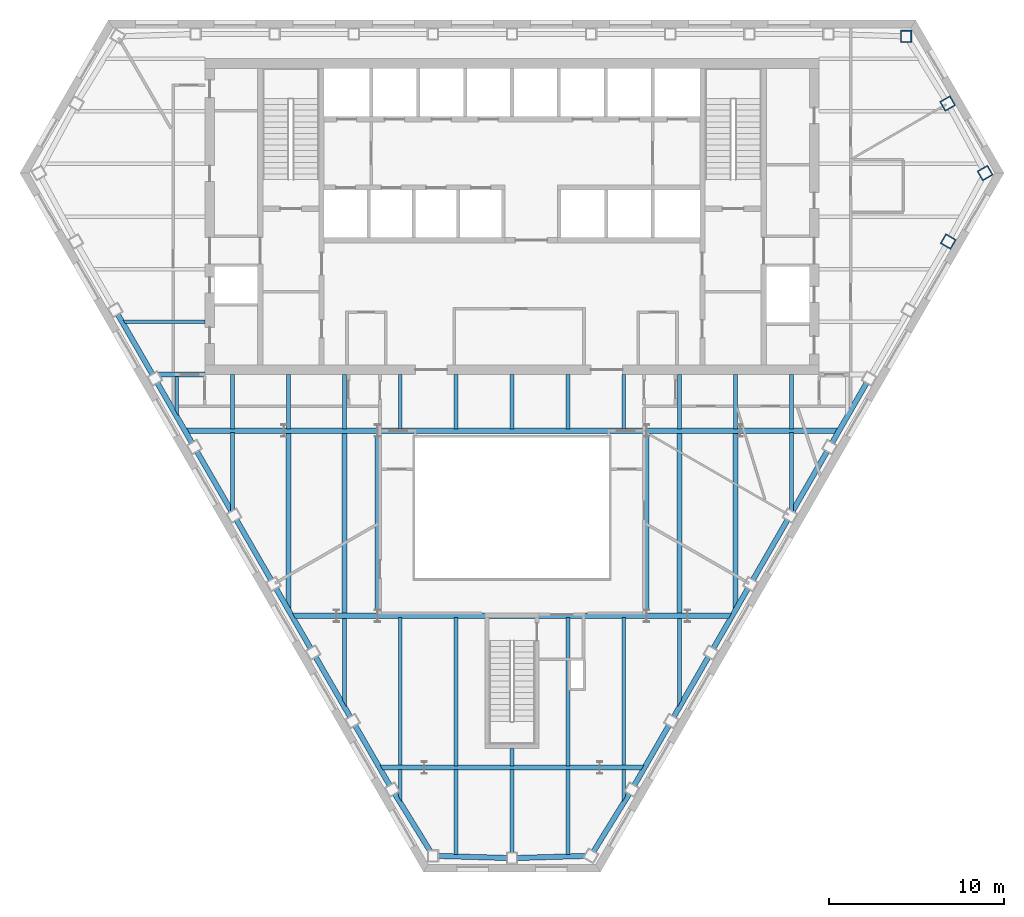
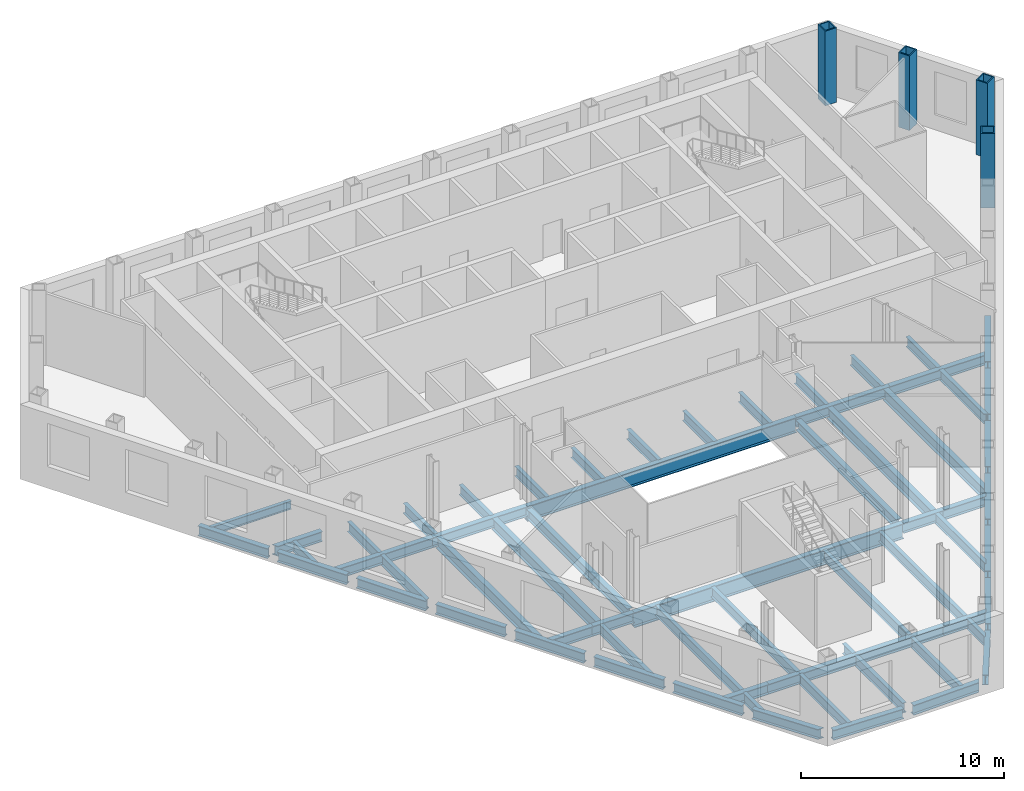
# One storey, part 2 of 11: 64 beams, 4 columns.
"""IFC4 building model written with IfcOpenShell, lengths in metres."""

from ifc_helpers import new_model, si_unit, direction, frame, origin, origin_2d, place, context, subcontext, project, spatial, hollow_rectangle, i_section, extrude, clip, halfspace, material, material_profile, profile_set, type_object, element, save


model = new_model("IFC4")

# Units and contexts
model_context = context("Model", 3, precision=1e-05, world=origin(), true_north=direction((0.0, 1.0)))
body_context = subcontext(model_context, "Body", "Model", "MODEL_VIEW")
ifc_project = project(units=[si_unit("LENGTHUNIT", "METRE"), si_unit("AREAUNIT", "SQUARE_METRE"), si_unit("VOLUMEUNIT", "CUBIC_METRE"), si_unit("PLANEANGLEUNIT", "RADIAN"), si_unit("MASSUNIT", "GRAM", prefix="KILO")], contexts=[model_context])

# Site, building, storey
site_placement = place(None, origin())
site = spatial("IfcSite", under=ifc_project, at=site_placement, CompositionType="ELEMENT")
building_placement = place(site_placement, origin())
building = spatial("IfcBuilding", under=site, at=building_placement, Name="Njiva Tower", CompositionType="ELEMENT")
storey_placement = place(building_placement, frame((0.0, 0.0, 102.3)))
storey = spatial("IfcBuildingStorey", under=building, at=storey_placement, Name="L21", CompositionType="ELEMENT", Elevation=102.3)

# Columns
ifc_material = material(Name="Steel S355 J2", Category="steel")
ifc_material_profile_1 = material_profile(ifc_material, hollow_rectangle(XDim=0.65, YDim=0.7, WallThickness=0.065, at=origin_2d()), Name="BOX 700x650x65")
ifc_profile_set_1 = profile_set([ifc_material_profile_1], Name="Steel S355 J2")
column_type = type_object("IfcColumnType", Name="C7 Perimeter tube column BOX 700x650x65", PredefinedType="COLUMN", material=ifc_profile_set_1)
for number, where, z_axis, x_axis, name in (
    (1, (22.461, 19.267, 0.0), (0.0, 0.0, 1.0), (-1.0, 0.0, 0.0), "Perimeter tube column S07-C01"),
    (2, (24.857, 7.575, 0.0), (0.0, 0.0, 1.0), (0.5, 0.866025403784, 0.0), "Perimeter tube column S07-C34"),
    (3, (26.958, 11.479, 0.0), (0.0, 0.0, 1.0), (-0.5, 0.866025403784, 0.0), "Perimeter tube column S07-C35"),
    (4, (24.825, 15.44, 0.0), (0.0, 0.0, 1.0), (-0.5, 0.866025403784, 0.0), "Perimeter tube column S07-C36"),
):
    element("IfcColumn", number, at=place(storey_placement, frame(where, z_axis=z_axis, x_axis=x_axis)), inside=storey, type_object=column_type, Name=name, PredefinedType="COLUMN", context=body_context, shape_type="SweptSolid", body=[
        extrude(hollow_rectangle(XDim=0.65, YDim=0.7, WallThickness=0.065, at=origin_2d()), origin(), (0.0, 0.0, 1.0), 4.5),
    ])

# Beams
ifc_material_profile_2 = material_profile(ifc_material, i_section(OverallWidth=0.3, OverallDepth=0.69, WebThickness=0.0145, FlangeThickness=0.027, at=origin_2d()), Name="HEA 700")
ifc_profile_set_2 = profile_set([ifc_material_profile_2], Name="Steel S355 J2")
beam_type_1 = type_object("IfcBeamType", Name="B12 Long-span floor joist HEA 700", PredefinedType="JOIST", material=ifc_profile_set_2)
beam_1_placement = place(storey_placement, frame((-12.733, -3.3, -0.545), z_axis=(0.0, -1.0, 0.0), x_axis=(1.0, 0.0, 0.0)))
element("IfcBeam", 5, at=beam_1_placement, inside=storey, type_object=beam_type_1, Name="Long-span floor joist S07-B063", PredefinedType="JOIST", context=body_context, shape_type="Clipping", body=[
    clip(extrude(i_section(OverallWidth=0.3, OverallDepth=0.69, WebThickness=0.0145, FlangeThickness=0.027, at=origin_2d()), origin(), (0.0, 0.0, 1.0), 10.135), halfspace(frame((-0.0436, 0.0, 9.8491), z_axis=(-0.866026552831, 0.0, 0.499998009787), x_axis=(0.0, 1.0, 0.0)), False)),
])
for number, where, z_axis, x_axis, name in (
    (6, (-9.55, -3.3, -0.545), (0.0, -1.0, 0.0), (1.0, 0.0, 0.0), "Long-span floor joist S07-B066"),
    (7, (9.55, -3.3, -0.545), (0.0, -1.0, 0.0), (1.0, 0.0, 0.0), "Long-span floor joist S07-B085"),
):
    element("IfcBeam", number, at=place(storey_placement, frame(where, z_axis=z_axis, x_axis=x_axis)), inside=storey, type_object=beam_type_1, Name=name, PredefinedType="JOIST", context=body_context, shape_type="SweptSolid", body=[
        extrude(i_section(OverallWidth=0.3, OverallDepth=0.69, WebThickness=0.0145, FlangeThickness=0.027, at=origin_2d()), origin(), (0.0, 0.0, 1.0), 10.35),
    ])
beam_2_placement = place(storey_placement, frame((12.733, -3.3, -0.545), z_axis=(0.0, -1.0, 0.0), x_axis=(1.0, 0.0, 0.0)))
element("IfcBeam", 8, at=beam_2_placement, inside=storey, type_object=beam_type_1, Name="Long-span floor joist S07-B087", PredefinedType="JOIST", context=body_context, shape_type="Clipping", body=[
    clip(extrude(i_section(OverallWidth=0.3, OverallDepth=0.69, WebThickness=0.0145, FlangeThickness=0.027, at=origin_2d()), origin(), (0.0, 0.0, 1.0), 10.135), halfspace(frame((0.0436, 0.0, 9.8491), z_axis=(0.866026552831, 0.0, 0.499998009787), x_axis=(0.0, 1.0, 0.0)), False)),
])
ifc_material_profile_3 = material_profile(ifc_material, i_section(OverallWidth=0.22, OverallDepth=0.6, WebThickness=0.012, FlangeThickness=0.019, at=origin_2d()), Name="IPE 600")
ifc_profile_set_3 = profile_set([ifc_material_profile_3], Name="Steel S355 J2")
beam_type_2 = type_object("IfcBeamType", Name="B13 Floor joist IPE 600", PredefinedType="JOIST", material=ifc_profile_set_3)
beam_3_placement = place(storey_placement, frame((-9.55, -13.85, -0.5), z_axis=(0.0, -1.0, 0.0), x_axis=(1.0, 0.0, 0.0)))
element("IfcBeam", 9, at=beam_3_placement, inside=storey, type_object=beam_type_2, Name="Floor joist S07-B065", PredefinedType="JOIST", context=body_context, shape_type="Clipping", body=[
    clip(extrude(i_section(OverallWidth=0.22, OverallDepth=0.6, WebThickness=0.012, FlangeThickness=0.019, at=origin_2d()), origin(), (0.0, 0.0, 1.0), 5.099), halfspace(frame((-0.0433, 0.0, 4.8128), z_axis=(-0.866026552831, 0.0, 0.499998009787), x_axis=(0.0, 1.0, 0.0)), False)),
])
for number, where, z_axis, x_axis, name in (
    (10, (-6.367, -13.851, -0.5), (0.0, -1.0, 0.0), (1.0, 0.0, 0.0), "Floor joist S07-B069"),
    (11, (-3.183, -13.851, -0.5), (0.0, -1.0, 0.0), (1.0, 0.0, 0.0), "Floor joist S07-B072"),
):
    element("IfcBeam", number, at=place(storey_placement, frame(where, z_axis=z_axis, x_axis=x_axis)), inside=storey, type_object=beam_type_2, Name=name, PredefinedType="JOIST", context=body_context, shape_type="SweptSolid", body=[
        extrude(i_section(OverallWidth=0.22, OverallDepth=0.6, WebThickness=0.012, FlangeThickness=0.019, at=origin_2d()), origin(), (0.0, 0.0, 1.0), 8.449),
    ])
beam_4_placement = place(storey_placement, frame((-3.183, -22.5, -0.5), z_axis=(0.0, -1.0, 0.0), x_axis=(1.0, 0.0, 0.0)))
element("IfcBeam", 12, at=beam_4_placement, inside=storey, type_object=beam_type_2, Name="Floor joist S07-B071", PredefinedType="JOIST", context=body_context, shape_type="SweptSolid", body=[
    extrude(i_section(OverallWidth=0.22, OverallDepth=0.6, WebThickness=0.012, FlangeThickness=0.019, at=origin_2d()), origin(), (0.0, 0.0, 1.0), 4.861),
])
beam_5_placement = place(storey_placement, frame((0.0, -22.5, -0.5), z_axis=(0.0, -1.0, 0.0), x_axis=(1.0, 0.0, 0.0)))
element("IfcBeam", 13, at=beam_5_placement, inside=storey, type_object=beam_type_2, Name="Floor joist S07-B075", PredefinedType="JOIST", context=body_context, shape_type="SweptSolid", body=[
    extrude(i_section(OverallWidth=0.22, OverallDepth=0.6, WebThickness=0.012, FlangeThickness=0.019, at=origin_2d()), origin(), (0.0, 0.0, 1.0), 4.758),
])
beam_6_placement = place(storey_placement, frame((3.183, -13.851, -0.5), z_axis=(0.0, -1.0, 0.0), x_axis=(1.0, 0.0, 0.0)))
element("IfcBeam", 14, at=beam_6_placement, inside=storey, type_object=beam_type_2, Name="Floor joist S07-B079", PredefinedType="JOIST", context=body_context, shape_type="SweptSolid", body=[
    extrude(i_section(OverallWidth=0.22, OverallDepth=0.6, WebThickness=0.012, FlangeThickness=0.019, at=origin_2d()), origin(), (0.0, 0.0, 1.0), 8.449),
])
beam_7_placement = place(storey_placement, frame((3.183, -22.5, -0.5), z_axis=(0.0, -1.0, 0.0), x_axis=(1.0, 0.0, 0.0)))
element("IfcBeam", 15, at=beam_7_placement, inside=storey, type_object=beam_type_2, Name="Floor joist S07-B078", PredefinedType="JOIST", context=body_context, shape_type="SweptSolid", body=[
    extrude(i_section(OverallWidth=0.22, OverallDepth=0.6, WebThickness=0.012, FlangeThickness=0.019, at=origin_2d()), origin(), (0.0, 0.0, 1.0), 4.861),
])
beam_8_placement = place(storey_placement, frame((6.367, -13.851, -0.5), z_axis=(0.0, -1.0, 0.0), x_axis=(1.0, 0.0, 0.0)))
element("IfcBeam", 16, at=beam_8_placement, inside=storey, type_object=beam_type_2, Name="Floor joist S07-B082", PredefinedType="JOIST", context=body_context, shape_type="SweptSolid", body=[
    extrude(i_section(OverallWidth=0.22, OverallDepth=0.6, WebThickness=0.012, FlangeThickness=0.019, at=origin_2d()), origin(), (0.0, 0.0, 1.0), 8.449),
])
beam_9_placement = place(storey_placement, frame((9.55, -13.85, -0.5), z_axis=(0.0, -1.0, 0.0), x_axis=(1.0, 0.0, 0.0)))
element("IfcBeam", 17, at=beam_9_placement, inside=storey, type_object=beam_type_2, Name="Floor joist S07-B084", PredefinedType="JOIST", context=body_context, shape_type="Clipping", body=[
    clip(extrude(i_section(OverallWidth=0.22, OverallDepth=0.6, WebThickness=0.012, FlangeThickness=0.019, at=origin_2d()), origin(), (0.0, 0.0, 1.0), 5.099), halfspace(frame((0.0433, 0.0, 4.8128), z_axis=(0.866026552831, 0.0, 0.499998009787), x_axis=(0.0, 1.0, 0.0)), False)),
])
ifc_material_profile_4 = material_profile(ifc_material, i_section(OverallWidth=0.22, OverallDepth=0.6, WebThickness=0.012, FlangeThickness=0.019, at=origin_2d()), Name="IPE 600")
ifc_profile_set_4 = profile_set([ifc_material_profile_4], Name="Steel S355 J2")
beam_type_3 = type_object("IfcBeamType", Name="B14 Short-span floor joist IPE 600", PredefinedType="JOIST", material=ifc_profile_set_4)
beam_10_placement = place(storey_placement, frame((-19.1, -0.1, -0.5), z_axis=(0.0, -1.0, 0.0), x_axis=(1.0, 0.0, 0.0)))
element("IfcBeam", 18, at=beam_10_placement, inside=storey, type_object=beam_type_3, Name="Short-span floor joist S07-B059", PredefinedType="JOIST", context=body_context, shape_type="Clipping", body=[
    clip(extrude(i_section(OverallWidth=0.22, OverallDepth=0.6, WebThickness=0.012, FlangeThickness=0.019, at=origin_2d()), origin(), (0.0, 0.0, 1.0), 2.308), halfspace(frame((-0.0433, 0.0, 2.0217), z_axis=(-0.866026552831, 0.0, 0.499998009787), x_axis=(0.0, 1.0, 0.0)), False)),
])
beam_11_placement = place(storey_placement, frame((-15.917, -0.005, -0.5), z_axis=(0.0, -1.0, 0.0), x_axis=(1.0, 0.0, 0.0)))
element("IfcBeam", 19, at=beam_11_placement, inside=storey, type_object=beam_type_3, Name="Short-span floor joist S07-B062", PredefinedType="JOIST", context=body_context, shape_type="SweptSolid", body=[
    extrude(i_section(OverallWidth=0.22, OverallDepth=0.6, WebThickness=0.012, FlangeThickness=0.019, at=origin_2d()), origin(), (0.0, 0.0, 1.0), 3.095),
])
beam_12_placement = place(storey_placement, frame((-15.917, -3.3, -0.5), z_axis=(0.0, -1.0, 0.0), x_axis=(1.0, 0.0, 0.0)))
element("IfcBeam", 20, at=beam_12_placement, inside=storey, type_object=beam_type_3, Name="Short-span floor joist S07-B060", PredefinedType="JOIST", context=body_context, shape_type="Clipping", body=[
    clip(extrude(i_section(OverallWidth=0.22, OverallDepth=0.6, WebThickness=0.012, FlangeThickness=0.019, at=origin_2d()), origin(), (0.0, 0.0, 1.0), 4.549), halfspace(frame((0.0253, 0.0, 4.4501), z_axis=(0.499998009787, 0.0, 0.866026552831), x_axis=(0.0, 1.0, 0.0)), False)),
])
for number, where, z_axis, x_axis, name in (
    (21, (-12.733, -0.005, -0.5), (0.0, -1.0, 0.0), (1.0, 0.0, 0.0), "Short-span floor joist S07-B064"),
    (22, (-9.55, -0.005, -0.5), (0.0, -1.0, 0.0), (1.0, 0.0, 0.0), "Short-span floor joist S07-B067"),
):
    element("IfcBeam", number, at=place(storey_placement, frame(where, z_axis=z_axis, x_axis=x_axis)), inside=storey, type_object=beam_type_3, Name=name, PredefinedType="JOIST", context=body_context, shape_type="SweptSolid", body=[
        extrude(i_section(OverallWidth=0.22, OverallDepth=0.6, WebThickness=0.012, FlangeThickness=0.019, at=origin_2d()), origin(), (0.0, 0.0, 1.0), 3.095),
    ])
beam_13_placement = place(storey_placement, frame((-6.367, -0.005, -0.5), z_axis=(0.0, -1.0, 0.0), x_axis=(1.0, 0.0, 0.0)))
element("IfcBeam", 23, at=beam_13_placement, inside=storey, type_object=beam_type_3, Name="Short-span floor joist S07-B070", PredefinedType="JOIST", context=body_context, shape_type="SweptSolid", body=[
    extrude(i_section(OverallWidth=0.22, OverallDepth=0.6, WebThickness=0.012, FlangeThickness=0.019, at=origin_2d()), origin(), (0.0, 0.0, 1.0), 3.094),
])
beam_14_placement = place(storey_placement, frame((-6.367, -22.5, -0.5), z_axis=(0.0, -1.0, 0.0), x_axis=(1.0, 0.0, 0.0)))
element("IfcBeam", 24, at=beam_14_placement, inside=storey, type_object=beam_type_3, Name="Short-span floor joist S07-B068", PredefinedType="JOIST", context=body_context, shape_type="Clipping", body=[
    clip(extrude(i_section(OverallWidth=0.22, OverallDepth=0.6, WebThickness=0.012, FlangeThickness=0.019, at=origin_2d()), origin(), (0.0, 0.0, 1.0), 1.907), halfspace(frame((-0.0422, 0.0, 1.64), z_axis=(-0.850620428373, 0.0, 0.525780264783), x_axis=(0.0, 1.0, 0.0)), False)),
])
for number, where, z_axis, x_axis, name in (
    (25, (-3.183, -0.005, -0.5), (0.0, -1.0, 0.0), (1.0, 0.0, 0.0), "Short-span floor joist S07-B073"),
    (26, (0.0, -0.005, -0.5), (0.0, -1.0, 0.0), (1.0, 0.0, 0.0), "Short-span floor joist S07-B077"),
):
    element("IfcBeam", number, at=place(storey_placement, frame(where, z_axis=z_axis, x_axis=x_axis)), inside=storey, type_object=beam_type_3, Name=name, PredefinedType="JOIST", context=body_context, shape_type="SweptSolid", body=[
        extrude(i_section(OverallWidth=0.22, OverallDepth=0.6, WebThickness=0.012, FlangeThickness=0.019, at=origin_2d()), origin(), (0.0, 0.0, 1.0), 3.094),
    ])
beam_15_placement = place(storey_placement, frame((0.0, -21.3, -0.5), z_axis=(0.0, -1.0, 0.0), x_axis=(1.0, 0.0, 0.0)))
element("IfcBeam", 27, at=beam_15_placement, inside=storey, type_object=beam_type_3, Name="Short-span floor joist S07-B076", PredefinedType="JOIST", context=body_context, shape_type="SweptSolid", body=[
    extrude(i_section(OverallWidth=0.22, OverallDepth=0.6, WebThickness=0.012, FlangeThickness=0.019, at=origin_2d()), origin(), (0.0, 0.0, 1.0), 1.0),
])
for number, where, z_axis, x_axis, name in (
    (28, (3.183, -0.005, -0.5), (0.0, -1.0, 0.0), (1.0, 0.0, 0.0), "Short-span floor joist S07-B080"),
    (29, (6.367, -0.005, -0.5), (0.0, -1.0, 0.0), (1.0, 0.0, 0.0), "Short-span floor joist S07-B083"),
):
    element("IfcBeam", number, at=place(storey_placement, frame(where, z_axis=z_axis, x_axis=x_axis)), inside=storey, type_object=beam_type_3, Name=name, PredefinedType="JOIST", context=body_context, shape_type="SweptSolid", body=[
        extrude(i_section(OverallWidth=0.22, OverallDepth=0.6, WebThickness=0.012, FlangeThickness=0.019, at=origin_2d()), origin(), (0.0, 0.0, 1.0), 3.094),
    ])
beam_16_placement = place(storey_placement, frame((6.367, -22.5, -0.5), z_axis=(0.0, -1.0, 0.0), x_axis=(1.0, 0.0, 0.0)))
element("IfcBeam", 30, at=beam_16_placement, inside=storey, type_object=beam_type_3, Name="Short-span floor joist S07-B081", PredefinedType="JOIST", context=body_context, shape_type="Clipping", body=[
    clip(extrude(i_section(OverallWidth=0.22, OverallDepth=0.6, WebThickness=0.012, FlangeThickness=0.019, at=origin_2d()), origin(), (0.0, 0.0, 1.0), 1.907), halfspace(frame((0.0422, 0.0, 1.64), z_axis=(0.850620428373, 0.0, 0.525780264783), x_axis=(0.0, 1.0, 0.0)), False)),
])
for number, where, z_axis, x_axis, name in (
    (31, (9.55, -0.005, -0.5), (0.0, -1.0, 0.0), (1.0, 0.0, 0.0), "Short-span floor joist S07-B086"),
    (32, (12.733, -0.005, -0.5), (0.0, -1.0, 0.0), (1.0, 0.0, 0.0), "Short-span floor joist S07-B088"),
    (33, (15.917, -0.005, -0.5), (0.0, -1.0, 0.0), (1.0, 0.0, 0.0), "Short-span floor joist S07-B091"),
):
    element("IfcBeam", number, at=place(storey_placement, frame(where, z_axis=z_axis, x_axis=x_axis)), inside=storey, type_object=beam_type_3, Name=name, PredefinedType="JOIST", context=body_context, shape_type="SweptSolid", body=[
        extrude(i_section(OverallWidth=0.22, OverallDepth=0.6, WebThickness=0.012, FlangeThickness=0.019, at=origin_2d()), origin(), (0.0, 0.0, 1.0), 3.095),
    ])
beam_17_placement = place(storey_placement, frame((15.917, -3.3, -0.5), z_axis=(0.0, -1.0, 0.0), x_axis=(1.0, 0.0, 0.0)))
element("IfcBeam", 34, at=beam_17_placement, inside=storey, type_object=beam_type_3, Name="Short-span floor joist S07-B089", PredefinedType="JOIST", context=body_context, shape_type="Clipping", body=[
    clip(extrude(i_section(OverallWidth=0.22, OverallDepth=0.6, WebThickness=0.012, FlangeThickness=0.019, at=origin_2d()), origin(), (0.0, 0.0, 1.0), 4.549), halfspace(frame((-0.0253, 0.0, 4.4501), z_axis=(-0.499998009787, 0.0, 0.866026552831), x_axis=(0.0, 1.0, 0.0)), False)),
])
ifc_material_profile_5 = material_profile(ifc_material, i_section(OverallWidth=0.3, OverallDepth=0.6, WebThickness=0.0155, FlangeThickness=0.03, at=origin_2d()), Name="HEB 600")
ifc_profile_set_5 = profile_set([ifc_material_profile_5], Name="Steel S355 J2")
beam_type_4 = type_object("IfcBeamType", Name="B20 Floor girder HEB 600", PredefinedType="BEAM", material=ifc_profile_set_5)
beam_18_placement = place(storey_placement, frame((-18.628, -3.2, -0.5), z_axis=(1.0, 0.0, 0.0), x_axis=(0.0, 1.0, 0.0)))
element("IfcBeam", 35, at=beam_18_placement, inside=storey, type_object=beam_type_4, Name="Floor girder S07-B017", PredefinedType="BEAM", context=body_context, shape_type="Clipping", body=[
    clip(extrude(i_section(OverallWidth=0.3, OverallDepth=0.6, WebThickness=0.0155, FlangeThickness=0.03, at=origin_2d()), origin(), (0.0, 0.0, 1.0), 5.628), halfspace(frame((-0.025, 0.0, 0.1217), z_axis=(-0.499998009787, 0.0, -0.866026552831), x_axis=(0.0, -1.0, 0.0)), False)),
])
for number, where, z_axis, x_axis, name in (
    (36, (-13.0, -3.2, -0.5), (1.0, 0.0, 0.0), (0.0, 1.0, 0.0), "Floor girder S07-B018"),
    (37, (7.67, -3.2, -0.5), (1.0, 0.0, 0.0), (0.0, 1.0, 0.0), "Floor girder S07-B025"),
):
    element("IfcBeam", number, at=place(storey_placement, frame(where, z_axis=z_axis, x_axis=x_axis)), inside=storey, type_object=beam_type_4, Name=name, PredefinedType="BEAM", context=body_context, shape_type="SweptSolid", body=[
        extrude(i_section(OverallWidth=0.3, OverallDepth=0.6, WebThickness=0.0155, FlangeThickness=0.03, at=origin_2d()), origin(), (0.0, 0.0, 1.0), 5.33),
    ])
beam_19_placement = place(storey_placement, frame((13.0, -3.2, -0.5), z_axis=(1.0, 0.0, 0.0), x_axis=(0.0, 1.0, 0.0)))
element("IfcBeam", 38, at=beam_19_placement, inside=storey, type_object=beam_type_4, Name="Floor girder S07-B027", PredefinedType="BEAM", context=body_context, shape_type="Clipping", body=[
    clip(extrude(i_section(OverallWidth=0.3, OverallDepth=0.6, WebThickness=0.0155, FlangeThickness=0.03, at=origin_2d()), origin(), (0.0, 0.0, 1.0), 5.628), halfspace(frame((-0.025, 0.0, 5.5063), z_axis=(-0.499998009787, 0.0, 0.866026552831), x_axis=(0.0, 1.0, 0.0)), False)),
])
ifc_material_profile_6 = material_profile(ifc_material, i_section(OverallWidth=0.3, OverallDepth=0.6, WebThickness=0.0155, FlangeThickness=0.03, at=origin_2d()), Name="HEB 600")
ifc_profile_set_6 = profile_set([ifc_material_profile_6], Name="Steel S355 J2")
beam_type_5 = type_object("IfcBeamType", Name="B21 Short-span floor girder HEB 600", PredefinedType="BEAM", material=ifc_profile_set_6)
beam_20_placement = place(storey_placement, frame((-12.537, -13.75, -0.5), z_axis=(1.0, 0.0, 0.0), x_axis=(0.0, 1.0, 0.0)))
element("IfcBeam", 39, at=beam_20_placement, inside=storey, type_object=beam_type_5, Name="Short-span floor girder S07-B019", PredefinedType="BEAM", context=body_context, shape_type="Clipping", body=[
    clip(extrude(i_section(OverallWidth=0.3, OverallDepth=0.6, WebThickness=0.0155, FlangeThickness=0.03, at=origin_2d()), origin(), (0.0, 0.0, 1.0), 2.537), halfspace(frame((-0.025, 0.0, 0.1217), z_axis=(-0.499998009787, 0.0, -0.866026552831), x_axis=(0.0, -1.0, 0.0)), False)),
])
for number, where, z_axis, x_axis, name in (
    (40, (-10.0, -13.75, -0.5), (1.0, 0.0, 0.0), (0.0, 1.0, 0.0), "Short-span floor girder S07-B020"),
    (41, (7.67, -13.75, -0.5), (1.0, 0.0, 0.0), (0.0, 1.0, 0.0), "Short-span floor girder S07-B024"),
):
    element("IfcBeam", number, at=place(storey_placement, frame(where, z_axis=z_axis, x_axis=x_axis)), inside=storey, type_object=beam_type_5, Name=name, PredefinedType="BEAM", context=body_context, shape_type="SweptSolid", body=[
        extrude(i_section(OverallWidth=0.3, OverallDepth=0.6, WebThickness=0.0155, FlangeThickness=0.03, at=origin_2d()), origin(), (0.0, 0.0, 1.0), 2.33),
    ])
beam_21_placement = place(storey_placement, frame((10.0, -13.75, -0.5), z_axis=(1.0, 0.0, 0.0), x_axis=(0.0, 1.0, 0.0)))
element("IfcBeam", 42, at=beam_21_placement, inside=storey, type_object=beam_type_5, Name="Short-span floor girder S07-B026", PredefinedType="BEAM", context=body_context, shape_type="Clipping", body=[
    clip(extrude(i_section(OverallWidth=0.3, OverallDepth=0.6, WebThickness=0.0155, FlangeThickness=0.03, at=origin_2d()), origin(), (0.0, 0.0, 1.0), 2.537), halfspace(frame((-0.025, 0.0, 2.4153), z_axis=(-0.499998009787, 0.0, 0.866026552831), x_axis=(0.0, 1.0, 0.0)), False)),
])
beam_22_placement = place(storey_placement, frame((-7.543, -22.4, -0.5), z_axis=(1.0, 0.0, 0.0), x_axis=(0.0, 1.0, 0.0)))
element("IfcBeam", 43, at=beam_22_placement, inside=storey, type_object=beam_type_5, Name="Short-span floor girder S07-B021", PredefinedType="BEAM", context=body_context, shape_type="Clipping", body=[
    clip(extrude(i_section(OverallWidth=0.3, OverallDepth=0.6, WebThickness=0.0155, FlangeThickness=0.03, at=origin_2d()), origin(), (0.0, 0.0, 1.0), 2.543), halfspace(frame((-0.025, 0.0, 0.1218), z_axis=(-0.499998009787, 0.0, -0.866026552831), x_axis=(0.0, -1.0, 0.0)), False)),
])
beam_23_placement = place(storey_placement, frame((5.0, -22.4, -0.5), z_axis=(1.0, 0.0, 0.0), x_axis=(0.0, 1.0, 0.0)))
element("IfcBeam", 44, at=beam_23_placement, inside=storey, type_object=beam_type_5, Name="Short-span floor girder S07-B023", PredefinedType="BEAM", context=body_context, shape_type="Clipping", body=[
    clip(extrude(i_section(OverallWidth=0.3, OverallDepth=0.6, WebThickness=0.0155, FlangeThickness=0.03, at=origin_2d()), origin(), (0.0, 0.0, 1.0), 2.543), halfspace(frame((-0.025, 0.0, 2.4212), z_axis=(-0.499998009787, 0.0, 0.866026552831), x_axis=(0.0, 1.0, 0.0)), False)),
])
beam_24_placement = place(storey_placement, frame((-20.245, 0.0, -0.5), z_axis=(1.0, 0.0, 0.0), x_axis=(0.0, 1.0, 0.0)))
element("IfcBeam", 45, at=beam_24_placement, inside=storey, type_object=beam_type_5, Name="Short-span floor girder S07-B016", PredefinedType="BEAM", context=body_context, shape_type="Clipping", body=[
    clip(extrude(i_section(OverallWidth=0.3, OverallDepth=0.6, WebThickness=0.0155, FlangeThickness=0.03, at=origin_2d()), origin(), (0.0, 0.0, 1.0), 2.745), halfspace(frame((-0.025, 0.0, 0.1219), z_axis=(-0.499998009787, 0.0, -0.866026552831), x_axis=(0.0, -1.0, 0.0)), False)),
])
ifc_material_profile_7 = material_profile(ifc_material, i_section(OverallWidth=0.3, OverallDepth=0.6, WebThickness=0.0155, FlangeThickness=0.03, at=origin_2d()), Name="HEB 600")
ifc_profile_set_7 = profile_set([ifc_material_profile_7], Name="Steel S355 J2")
beam_type_6 = type_object("IfcBeamType", Name="B22 Long-span floor girder HEB 600", PredefinedType="BEAM", material=ifc_profile_set_7)
beam_25_placement = place(storey_placement, frame((-5.0, -22.4, -0.5), z_axis=(1.0, 0.0, 0.0), x_axis=(0.0, 1.0, 0.0)))
element("IfcBeam", 46, at=beam_25_placement, inside=storey, type_object=beam_type_6, Name="Long-span floor girder S07-B022", PredefinedType="BEAM", context=body_context, shape_type="SweptSolid", body=[
    extrude(i_section(OverallWidth=0.3, OverallDepth=0.6, WebThickness=0.0155, FlangeThickness=0.03, at=origin_2d()), origin(), (0.0, 0.0, 1.0), 10.0),
])
ifc_material_profile_8 = material_profile(ifc_material, i_section(OverallWidth=0.3, OverallDepth=0.6, WebThickness=0.0155, FlangeThickness=0.03, at=origin_2d()), Name="HEB 600")
ifc_profile_set_8 = profile_set([ifc_material_profile_8], Name="Steel S355 J2")
beam_type_7 = type_object("IfcBeamType", Name="B23 Long-span atrium trimmer beam HEB 600", PredefinedType="BEAM", material=ifc_profile_set_8)
for number, where, z_axis, x_axis, name in (
    (47, (7.67, -13.442, -0.5), (0.0, 1.0, 0.0), (-1.0, 0.0, 0.0), "Long-span atrium trimmer beam S07-B098"),
    (48, (-7.67, -3.508, -0.5), (0.0, -1.0, 0.0), (1.0, 0.0, 0.0), "Long-span atrium trimmer beam S07-B095"),
):
    element("IfcBeam", number, at=place(storey_placement, frame(where, z_axis=z_axis, x_axis=x_axis)), inside=storey, type_object=beam_type_7, Name=name, PredefinedType="BEAM", context=body_context, shape_type="SweptSolid", body=[
        extrude(i_section(OverallWidth=0.3, OverallDepth=0.6, WebThickness=0.0155, FlangeThickness=0.03, at=origin_2d()), origin(), (0.0, 0.0, 1.0), 9.934),
    ])
ifc_material_profile_9 = material_profile(ifc_material, i_section(OverallWidth=0.2, OverallDepth=0.5, WebThickness=0.0102, FlangeThickness=0.016, at=origin_2d()), Name="IPE 500")
ifc_profile_set_9 = profile_set([ifc_material_profile_9], Name="Steel S355 J2")
beam_type_8 = type_object("IfcBeamType", Name="B24 Floor beam to the core IPE 500", PredefinedType="BEAM", material=ifc_profile_set_9)
beam_26_placement = place(storey_placement, frame((-22.178, 3.0, -0.45), z_axis=(1.0, 0.0, 0.0), x_axis=(0.0, 1.0, 0.0)))
element("IfcBeam", 49, at=beam_26_placement, inside=storey, type_object=beam_type_8, Name="Floor beam to the core S07-B007", PredefinedType="BEAM", context=body_context, shape_type="Clipping", body=[
    clip(extrude(i_section(OverallWidth=0.2, OverallDepth=0.5, WebThickness=0.0102, FlangeThickness=0.016, at=origin_2d()), origin(), (0.0, 0.0, 1.0), 4.678), halfspace(frame((-0.025, 0.0, 0.0921), z_axis=(-0.499998009787, 0.0, -0.866026552831), x_axis=(0.0, -1.0, 0.0)), False)),
])
ifc_material_profile_10 = material_profile(ifc_material, i_section(OverallWidth=0.3, OverallDepth=0.6, WebThickness=0.0155, FlangeThickness=0.03, at=origin_2d()), Name="HEB 600")
ifc_profile_set_10 = profile_set([ifc_material_profile_10], Name="Steel S355 J2")
beam_type_9 = type_object("IfcBeamType", Name="B3 Short-span spandrel beam HEB 600", PredefinedType="SPANDREL", material=ifc_profile_set_10)
for number, where, z_axis, x_axis, name in (
    (50, (-22.466, 3.434, -0.5), (0.499970304126, -0.866042548026, 0.0), (0.866042548026, 0.499970304126, 0.0), "Short-span spandrel beam S07-B107"),
    (51, (-20.212, -0.47, -0.5), (0.499970304126, -0.866042548026, 0.0), (0.866042548026, 0.499970304126, 0.0), "Short-span spandrel beam S07-B111"),
):
    element("IfcBeam", number, at=place(storey_placement, frame(where, z_axis=z_axis, x_axis=x_axis)), inside=storey, type_object=beam_type_9, Name=name, PredefinedType="SPANDREL", context=body_context, shape_type="SweptSolid", body=[
        extrude(i_section(OverallWidth=0.3, OverallDepth=0.6, WebThickness=0.0155, FlangeThickness=0.03, at=origin_2d()), origin(), (0.0, 0.0, 1.0), 3.9582),
    ])
beam_27_placement = place(storey_placement, frame((-17.958, -4.374, -0.5), z_axis=(0.499890179513, -0.866088799389, 0.0), x_axis=(0.866088799389, 0.499890179513, 0.0)))
element("IfcBeam", 52, at=beam_27_placement, inside=storey, type_object=beam_type_9, Name="Short-span spandrel beam S07-B113", PredefinedType="SPANDREL", context=body_context, shape_type="SweptSolid", body=[
    extrude(i_section(OverallWidth=0.3, OverallDepth=0.6, WebThickness=0.0155, FlangeThickness=0.03, at=origin_2d()), origin(), (0.0, 0.0, 1.0), 3.9569),
])
for number, where, z_axis, x_axis, name in (
    (53, (-15.705, -8.277, -0.5), (0.499970304126, -0.866042548026, 0.0), (0.866042548026, 0.499970304126, 0.0), "Short-span spandrel beam S07-B117"),
    (54, (-13.451, -12.181, -0.5), (0.499970304126, -0.866042548026, 0.0), (0.866042548026, 0.499970304126, 0.0), "Short-span spandrel beam S07-B119"),
    (55, (-11.197, -16.085, -0.5), (0.499970304126, -0.866042548026, 0.0), (0.866042548026, 0.499970304126, 0.0), "Short-span spandrel beam S07-B122"),
):
    element("IfcBeam", number, at=place(storey_placement, frame(where, z_axis=z_axis, x_axis=x_axis)), inside=storey, type_object=beam_type_9, Name=name, PredefinedType="SPANDREL", context=body_context, shape_type="SweptSolid", body=[
        extrude(i_section(OverallWidth=0.3, OverallDepth=0.6, WebThickness=0.0155, FlangeThickness=0.03, at=origin_2d()), origin(), (0.0, 0.0, 1.0), 3.9582),
    ])
beam_28_placement = place(storey_placement, frame((-8.943, -19.989, -0.5), z_axis=(0.499890179513, -0.866088799389, 0.0), x_axis=(0.866088799389, 0.499890179513, 0.0)))
element("IfcBeam", 56, at=beam_28_placement, inside=storey, type_object=beam_type_9, Name="Short-span spandrel beam S07-B124", PredefinedType="SPANDREL", context=body_context, shape_type="SweptSolid", body=[
    extrude(i_section(OverallWidth=0.3, OverallDepth=0.6, WebThickness=0.0155, FlangeThickness=0.03, at=origin_2d()), origin(), (0.0, 0.0, 1.0), 3.9569),
])
beam_29_placement = place(storey_placement, frame((-6.68, -23.891, -0.5), z_axis=(0.525593686464, -0.850735726739, 0.0), x_axis=(0.850735726739, 0.525593686464, 0.0)))
element("IfcBeam", 57, at=beam_29_placement, inside=storey, type_object=beam_type_9, Name="Short-span spandrel beam S07-B127", PredefinedType="SPANDREL", context=body_context, shape_type="Clipping", body=[
    clip(extrude(i_section(OverallWidth=0.3, OverallDepth=0.6, WebThickness=0.0155, FlangeThickness=0.03, at=origin_2d()), origin(), (0.0, 0.0, 1.0), 3.9144), halfspace(frame((-0.026, 0.0, 3.7853), z_axis=(-0.525593686464, 0.0, 0.850735726739), x_axis=(0.0, 1.0, 0.0)), False)),
])
beam_30_placement = place(storey_placement, frame((-4.217, -27.433, -0.5), z_axis=(0.99955893469, -0.029697408674, 0.0), x_axis=(0.029697408674, 0.99955893469, 0.0)))
element("IfcBeam", 58, at=beam_30_placement, inside=storey, type_object=beam_type_9, Name="Short-span spandrel beam S07-B131", PredefinedType="SPANDREL", context=body_context, shape_type="SweptSolid", body=[
    extrude(i_section(OverallWidth=0.3, OverallDepth=0.6, WebThickness=0.0155, FlangeThickness=0.03, at=origin_2d()), origin(), (0.0, 0.0, 1.0), 3.9397),
])
beam_31_placement = place(storey_placement, frame((0.279, -27.55, -0.5), z_axis=(0.999557637361, 0.02974104225, 0.0), x_axis=(-0.02974104225, 0.999557637361, 0.0)))
element("IfcBeam", 59, at=beam_31_placement, inside=storey, type_object=beam_type_9, Name="Short-span spandrel beam S07-B133", PredefinedType="SPANDREL", context=body_context, shape_type="Clipping", body=[
    clip(extrude(i_section(OverallWidth=0.3, OverallDepth=0.6, WebThickness=0.0155, FlangeThickness=0.03, at=origin_2d()), origin(), (0.0, 0.0, 1.0), 3.9797), halfspace(frame((-0.0266, 0.0, 3.8501), z_axis=(-0.525533361645, 0.0, 0.850772993106), x_axis=(0.0, 1.0, 0.0)), False)),
])
beam_32_placement = place(storey_placement, frame((4.643, -27.188, -0.5), z_axis=(0.52560823833, 0.850726736267, 0.0), x_axis=(-0.850726736267, 0.52560823833, 0.0)))
element("IfcBeam", 60, at=beam_32_placement, inside=storey, type_object=beam_type_9, Name="Short-span spandrel beam S07-B136", PredefinedType="SPANDREL", context=body_context, shape_type="SweptSolid", body=[
    extrude(i_section(OverallWidth=0.3, OverallDepth=0.6, WebThickness=0.0155, FlangeThickness=0.03, at=origin_2d()), origin(), (0.0, 0.0, 1.0), 3.8755),
])
beam_33_placement = place(storey_placement, frame((6.965, -23.416, -0.5), z_axis=(0.499890179513, 0.866088799389, 0.0), x_axis=(-0.866088799389, 0.499890179513, 0.0)))
element("IfcBeam", 61, at=beam_33_placement, inside=storey, type_object=beam_type_9, Name="Short-span spandrel beam S07-B139", PredefinedType="SPANDREL", context=body_context, shape_type="SweptSolid", body=[
    extrude(i_section(OverallWidth=0.3, OverallDepth=0.6, WebThickness=0.0155, FlangeThickness=0.03, at=origin_2d()), origin(), (0.0, 0.0, 1.0), 3.9569),
])
for number, where, z_axis, x_axis, name in (
    (62, (9.218, -19.513, -0.5), (0.499970304126, 0.866042548026, 0.0), (-0.866042548026, 0.499970304126, 0.0), "Short-span spandrel beam S07-B141"),
    (63, (11.472, -15.609, -0.5), (0.499970304126, 0.866042548026, 0.0), (-0.866042548026, 0.499970304126, 0.0), "Short-span spandrel beam S07-B144"),
    (64, (13.726, -11.705, -0.5), (0.499970304126, 0.866042548026, 0.0), (-0.866042548026, 0.499970304126, 0.0), "Short-span spandrel beam S07-B146"),
):
    element("IfcBeam", number, at=place(storey_placement, frame(where, z_axis=z_axis, x_axis=x_axis)), inside=storey, type_object=beam_type_9, Name=name, PredefinedType="SPANDREL", context=body_context, shape_type="SweptSolid", body=[
        extrude(i_section(OverallWidth=0.3, OverallDepth=0.6, WebThickness=0.0155, FlangeThickness=0.03, at=origin_2d()), origin(), (0.0, 0.0, 1.0), 3.9582),
    ])
beam_34_placement = place(storey_placement, frame((15.98, -7.801, -0.5), z_axis=(0.499890179513, 0.866088799389, 0.0), x_axis=(-0.866088799389, 0.499890179513, 0.0)))
element("IfcBeam", 65, at=beam_34_placement, inside=storey, type_object=beam_type_9, Name="Short-span spandrel beam S07-B150", PredefinedType="SPANDREL", context=body_context, shape_type="SweptSolid", body=[
    extrude(i_section(OverallWidth=0.3, OverallDepth=0.6, WebThickness=0.0155, FlangeThickness=0.03, at=origin_2d()), origin(), (0.0, 0.0, 1.0), 3.9569),
])
beam_35_placement = place(storey_placement, frame((18.233, -3.898, -0.5), z_axis=(0.499970304126, 0.866042548026, 0.0), x_axis=(-0.866042548026, 0.499970304126, 0.0)))
element("IfcBeam", 66, at=beam_35_placement, inside=storey, type_object=beam_type_9, Name="Short-span spandrel beam S07-B152", PredefinedType="SPANDREL", context=body_context, shape_type="SweptSolid", body=[
    extrude(i_section(OverallWidth=0.3, OverallDepth=0.6, WebThickness=0.0155, FlangeThickness=0.03, at=origin_2d()), origin(), (0.0, 0.0, 1.0), 3.9582),
])
ifc_material_profile_11 = material_profile(ifc_material, i_section(OverallWidth=0.302, OverallDepth=0.91, WebThickness=0.021, FlangeThickness=0.04, at=origin_2d()), Name="HEM 900")
ifc_profile_set_11 = profile_set([ifc_material_profile_11], Name="Steel S355 J2")
beam_type_10 = type_object("IfcBeamType", Name="B8 Long-span atrium trimmer beam HEM 900", PredefinedType="BEAM", material=ifc_profile_set_11)
for number, where, z_axis, x_axis, name in (
    (67, (-7.67, -13.75, -0.655), (1.0, 0.0, 0.0), (0.0, 1.0, 0.0), "Long-span atrium trimmer beam S07-B094"),
    (68, (7.67, -3.2, -0.655), (-1.0, 0.0, 0.0), (0.0, -1.0, 0.0), "Long-span atrium trimmer beam S07-B096"),
):
    element("IfcBeam", number, at=place(storey_placement, frame(where, z_axis=z_axis, x_axis=x_axis)), inside=storey, type_object=beam_type_10, Name=name, PredefinedType="BEAM", context=body_context, shape_type="SweptSolid", body=[
        extrude(i_section(OverallWidth=0.302, OverallDepth=0.91, WebThickness=0.021, FlangeThickness=0.04, at=origin_2d()), origin(), (0.0, 0.0, 1.0), 15.34),
    ])

save(model, "model.ifc")
